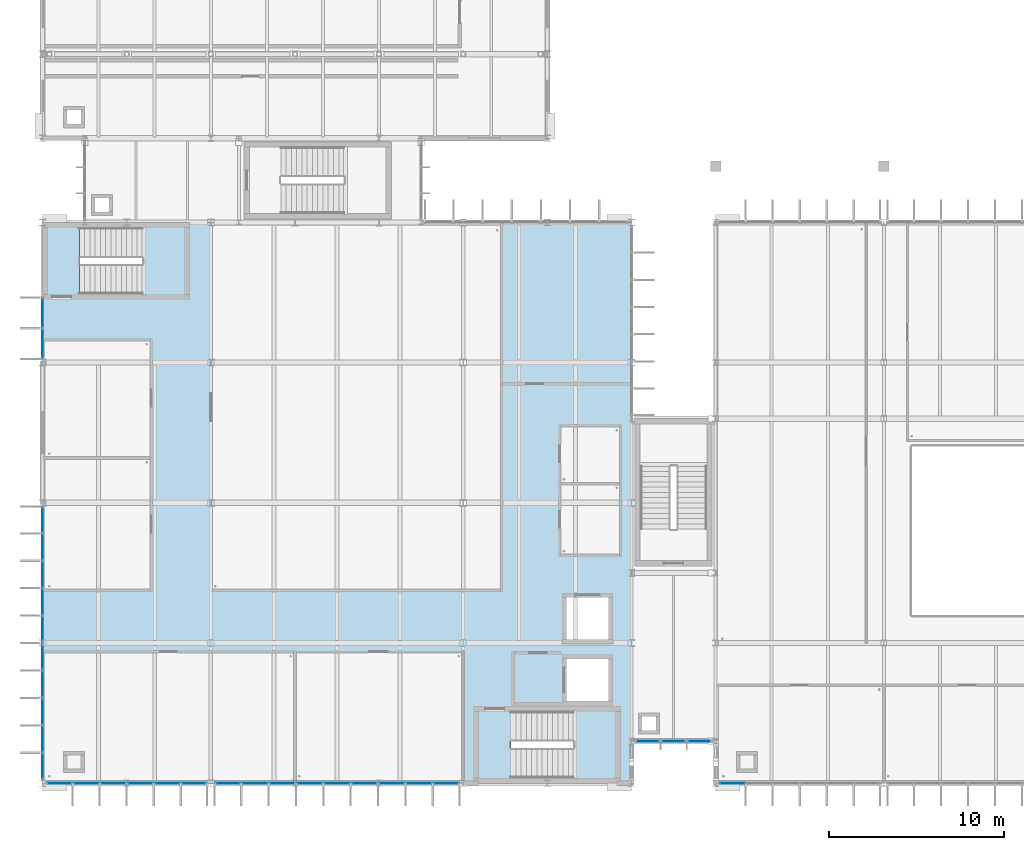
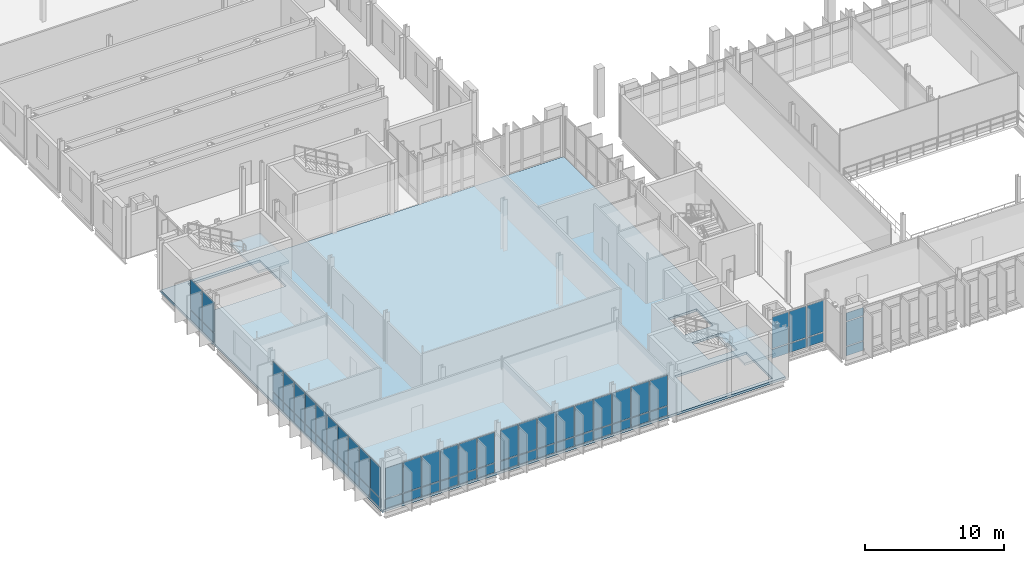
# One storey, part 49 of 110: 63 plates, 3 slabs, 8 elements without a shape of their own.
"""IFC4 building model written with IfcOpenShell, lengths in metres."""

import ifcopenshell
import ifcopenshell.guid

model = None  # the IFC model being written
_history = None  # IfcOwnerHistory: only IFC2X3 demands one
_inside = {}  # id of a spatial element -> (the spatial element, [elements in it])
_under = {}  # id of a project, library or spatial element -> (it, [spatial elements below it])
_declared = {}  # id of a project -> (the project, [libraries it declares])
_typed = {}  # id of a type object -> (the type object, [elements of that type])
_made_of = {}  # id of a material, layer set ... -> (it, [elements and type objects made of it])


def new_model(schema):
    """Start an empty IFC model of exactly this schema.

    Asked for "IFC4X3", IfcOpenShell would pick the latest addendum, in which some entities
    have other attributes; the version numbers below select the first issue.
    IFC2X3 requires an IfcOwnerHistory on every rooted entity: one is made here for all.
    """
    global model, _history
    if schema == "IFC4X3":
        model = ifcopenshell.file(schema_version=(4, 3, 0, 0))
    else:
        model = ifcopenshell.file(schema=schema)
    _inside.clear()
    _under.clear()
    _declared.clear()
    _typed.clear()
    _made_of.clear()
    _history = None
    if model.schema == "IFC2X3":
        org = make("IfcOrganization", Name="unknown")
        user = make(
            "IfcPersonAndOrganization",
            ThePerson=make("IfcPerson", FamilyName="unknown"),
            TheOrganization=org,
        )
        app = make(
            "IfcApplication",
            ApplicationDeveloper=org,
            Version="unknown",
            ApplicationFullName="unknown",
            ApplicationIdentifier="unknown",
        )
        _history = make(
            "IfcOwnerHistory",
            OwningUser=user,
            OwningApplication=app,
            ChangeAction="ADDED",
            CreationDate=0,
        )
    return model


def make(cls, **values):
    """One entity of the class cls with the attributes given. An attribute that is None is left unset."""
    return model.create_entity(
        cls, **{name: value for name, value in values.items() if value is not None}
    )


def rooted(cls, **values):
    """An entity with a GlobalId (a new one), such as an element, a storey or a relation."""
    return make(cls, GlobalId=ifcopenshell.guid.new(), OwnerHistory=_history, **values)


def si_unit(unit_type, name, prefix=None):
    """IfcSIUnit, for example si_unit("LENGTHUNIT", "METRE", prefix="MILLI")."""
    return make("IfcSIUnit", UnitType=unit_type, Prefix=prefix, Name=name)


def assignment(units):
    """IfcUnitAssignment: the units of a project."""
    return None if units is None else make("IfcUnitAssignment", Units=units)


def point(xyz):
    """IfcCartesianPoint."""
    return None if xyz is None else make("IfcCartesianPoint", Coordinates=xyz)


def direction(xyz):
    """IfcDirection."""
    return None if xyz is None else make("IfcDirection", DirectionRatios=xyz)


def frame(location, z_axis=None, x_axis=None):
    """IfcAxis2Placement3D, a coordinate frame: its origin and axes. An axis left out is left unset."""
    return make(
        "IfcAxis2Placement3D",
        Location=point(location),
        Axis=direction(z_axis),
        RefDirection=direction(x_axis),
    )


def frame_2d(location, x_axis=None):
    """IfcAxis2Placement2D, a coordinate frame in the plane: its origin and x axis."""
    return make(
        "IfcAxis2Placement2D", Location=point(location), RefDirection=direction(x_axis)
    )


def origin():
    """The frame at (0, 0, 0) with its axes left unset."""
    return frame((0.0, 0.0, 0.0))


def origin_2d():
    """The frame at (0, 0) in the plane with its x axis left unset."""
    return frame_2d((0.0, 0.0))


def place(relative_to, where):
    """IfcLocalPlacement: puts the frame where relative to a parent placement (None: the world)."""
    return make(
        "IfcLocalPlacement", PlacementRelTo=relative_to, RelativePlacement=where
    )


def context(
    kind, dimensions, precision=None, world=None, true_north=None, identifier=None
):
    """IfcGeometricRepresentationContext, for example the 3D "Model" context."""
    return make(
        "IfcGeometricRepresentationContext",
        ContextIdentifier=identifier,
        ContextType=kind,
        CoordinateSpaceDimension=dimensions,
        Precision=precision,
        WorldCoordinateSystem=world,
        TrueNorth=true_north,
    )


def subcontext(parent, identifier, kind, view, scale=None):
    """IfcGeometricRepresentationSubContext, for example "Body" below "Model"."""
    return make(
        "IfcGeometricRepresentationSubContext",
        ContextIdentifier=identifier,
        ContextType=kind,
        ParentContext=parent,
        TargetScale=scale,
        TargetView=view,
    )


def project(units=None, contexts=None):
    """IfcProject with its units and contexts."""
    return rooted(
        "IfcProject",
        Name="project",
        RepresentationContexts=contexts,
        UnitsInContext=assignment(units),
    )


def spatial(cls, under=None, at=None, **own):
    """A site, building, storey or space (cls), placed at a placement, below another one or the project."""
    s = rooted(cls, ObjectPlacement=at, **own)
    if under is not None:
        _under.setdefault(under.id(), (under, []))[1].append(s)
    return s


def polyline(points):
    """IfcPolyline through the points."""
    return make("IfcPolyline", Points=[point(p) for p in points])


def profile(cls, at=None, kind="AREA", **sizes):
    """A parametric profile (cls). Its sizes go by their IFC names, for example OverallWidth=200.0."""
    return make(cls, ProfileType=kind, Position=at, **sizes)


def rectangle(**sizes):
    """IfcRectangleProfileDef."""
    return profile("IfcRectangleProfileDef", **sizes)


def outline(outer, holes=None, kind="AREA"):
    """IfcArbitraryClosedProfileDef: a profile drawn as a closed curve; with holes, ...WithVoids."""
    if holes is None:
        return make("IfcArbitraryClosedProfileDef", ProfileType=kind, OuterCurve=outer)
    return make(
        "IfcArbitraryProfileDefWithVoids",
        ProfileType=kind,
        OuterCurve=outer,
        InnerCurves=holes,
    )


def extrude(swept, where, along, depth):
    """IfcExtrudedAreaSolid: the profile swept, set in the frame where, extruded along a direction by depth."""
    return make(
        "IfcExtrudedAreaSolid",
        SweptArea=swept,
        Position=where,
        ExtrudedDirection=direction(along),
        Depth=depth,
    )


def shape(context_of_items, identifier, shape_type, items):
    """IfcShapeRepresentation: the items that make up one representation, for example the "Body"."""
    return make(
        "IfcShapeRepresentation",
        ContextOfItems=context_of_items,
        RepresentationIdentifier=identifier,
        RepresentationType=shape_type,
        Items=items,
    )


def material(Name=None, Category=None):
    """IfcMaterial."""
    return make("IfcMaterial", Name=Name, Category=Category)


def layer(
    of_material, thickness, ventilated=None, Name=None, Category=None, Priority=None
):
    """IfcMaterialLayer: one layer of a wall or slab, of a material (None: an air gap)."""
    return make(
        "IfcMaterialLayer",
        Material=of_material,
        LayerThickness=thickness,
        IsVentilated=ventilated,
        Name=Name,
        Category=Category,
        Priority=Priority,
    )


def layer_set(layers, Name=None):
    """IfcMaterialLayerSet."""
    return make("IfcMaterialLayerSet", MaterialLayers=layers, LayerSetName=Name)


def made_of(thing, what):
    """Note that an element or type object is made of a material, layer set ...; save() writes the relation."""
    if what is not None:
        _made_of.setdefault(what.id(), (what, []))[1].append(thing)
    return thing


def type_object(cls, material=None, **own):
    """A type object (cls), such as IfcWallType, which elements share."""
    return made_of(rooted(cls, **own), material)


def element(
    cls,
    number,
    at=None,
    inside=None,
    cuts=None,
    type_object=None,
    material=None,
    context=None,
    identifier="Body",
    shape_type=None,
    held_by="IfcProductDefinitionShape",
    body=None,
    shapes=None,
    **own,
):
    """One element of the class cls, such as IfcWall. Its Tag is "e" and its number.

    at: its placement. inside: the storey or other place that contains it. cuts: it is an
    opening in that element (IfcRelVoidsElement). A single representation is given by context,
    identifier, shape_type and body (its items); several are given by shapes. held_by: the class
    of the entity that holds the representations. save() writes the other relations.
    """
    e = rooted(cls, Tag="e%d" % number, ObjectPlacement=at, **own)
    if body is not None:
        shapes = [shape(context, identifier, shape_type, body)]
    if shapes is not None:
        e.Representation = make(held_by, Representations=shapes)
    if inside is not None:
        _inside.setdefault(inside.id(), (inside, []))[1].append(e)
    if cuts is not None:
        rooted(
            "IfcRelVoidsElement", RelatingBuildingElement=cuts, RelatedOpeningElement=e
        )
    if type_object is not None:
        _typed.setdefault(type_object.id(), (type_object, []))[1].append(e)
    return made_of(e, material)


def aggregate(whole, parts):
    """IfcRelAggregates: a whole, such as a stair, and the parts it consists of."""
    return rooted("IfcRelAggregates", RelatingObject=whole, RelatedObjects=parts)


def save(model, path):
    """Write the relations noted so far, then the file.

    IfcRelAggregates (storeys below a building ...), IfcRelContainedInSpatialStructure (elements
    in a storey), IfcRelDefinesByType, IfcRelAssociatesMaterial and IfcRelDeclares: one each for
    every whole, place, type object, material and project.
    """
    for whole, parts in _under.values():
        aggregate(whole, parts)
    for where, things in _inside.values():
        rooted(
            "IfcRelContainedInSpatialStructure",
            RelatedElements=things,
            RelatingStructure=where,
        )
    for kind, things in _typed.values():
        rooted("IfcRelDefinesByType", RelatedObjects=things, RelatingType=kind)
    for what, things in _made_of.values():
        rooted("IfcRelAssociatesMaterial", RelatedObjects=things, RelatingMaterial=what)
    for by, libraries in _declared.values():
        rooted("IfcRelDeclares", RelatingContext=by, RelatedDefinitions=libraries)
    model.write(path)


model = new_model("IFC4")

# Units and contexts
model_context = context("Model", 3, precision=1e-05, world=origin(), true_north=direction((0.0, 1.0)))
body_context = subcontext(model_context, "Body", "Model", "MODEL_VIEW")
ifc_project = project(units=[si_unit("LENGTHUNIT", "METRE"), si_unit("AREAUNIT", "SQUARE_METRE"), si_unit("VOLUMEUNIT", "CUBIC_METRE"), si_unit("PLANEANGLEUNIT", "RADIAN"), si_unit("MASSUNIT", "GRAM", prefix="KILO")], contexts=[model_context])

# Site, building, storey
site_placement = place(None, origin())
site = spatial("IfcSite", under=ifc_project, at=site_placement, CompositionType="ELEMENT")
building_placement = place(site_placement, origin())
building = spatial("IfcBuilding", under=site, at=building_placement, Name="Dunescarp Central Library", CompositionType="ELEMENT")
storey_placement = place(building_placement, frame((0.0, 0.0, 9.60009765625)))
storey = spatial("IfcBuildingStorey", under=building, at=storey_placement, Name="L02", CompositionType="ELEMENT", Elevation=9.60009765625)

# Curtain wall, plates
ifc_material_1 = material(Name="Marine-grade anodised aluminium 6063-T6", Category="aluminium")
curtain_wall_type_1 = type_object("IfcCurtainWallType", Name="ARC-CW-STICK", PredefinedType="NOTDEFINED", material=ifc_material_1)
curtain_wall_1_placement = place(storey_placement, origin())
curtain_wall_1 = element("IfcCurtainWall", 1, at=curtain_wall_1_placement, inside=storey, type_object=curtain_wall_type_1, Name="L02 curtain wall CW-V1-012", PredefinedType="NOTDEFINED")
ifc_material_2 = material(Name="Solar-control laminated double glazing", Category="glass")
ifc_layer_1 = layer(ifc_material_2, 0.028076171875)
ifc_layer_set_1 = layer_set([ifc_layer_1], Name="Solar-control laminated double glazing")
plate_type_1 = type_object("IfcPlateType", Name="ARC-PLT-GLZ28", PredefinedType="CURTAIN_PANEL", material=ifc_layer_set_1)
plate_1_placement = place(storey_placement, frame((8.63427734375, 4.800048828125, 0.93994140625), z_axis=(0.0, 0.0, 1.0), x_axis=(-1.0, 0.0, 0.0)))
plate_1 = element("IfcPlate", 2, at=plate_1_placement, type_object=plate_type_1, Name="CW-V1-012 panel 1.2", PredefinedType="CURTAIN_PANEL", context=body_context, shape_type="SweptSolid", body=[
    extrude(rectangle(XDim=1.421630859375, YDim=0.028076171875, at=origin_2d()), origin(), (0.0, 0.0, 1.0), 2.6650390625),
])
plate_2_placement = place(storey_placement, frame((7.112548828125, 4.800048828125, 0.93994140625), z_axis=(0.0, 0.0, 1.0), x_axis=(-1.0, 0.0, 0.0)))
plate_2 = element("IfcPlate", 3, at=plate_2_placement, type_object=plate_type_1, Name="CW-V1-012 panel 2.2", PredefinedType="CURTAIN_PANEL", context=body_context, shape_type="SweptSolid", body=[
    extrude(rectangle(XDim=1.461669921875, YDim=0.028076171875, at=origin_2d()), origin(), (0.0, 0.0, 1.0), 2.6650390625),
])
plate_3_placement = place(storey_placement, frame((5.57080078125, 4.800048828125, 0.93994140625), z_axis=(0.0, 0.0, 1.0), x_axis=(-1.0, 0.0, 0.0)))
plate_3 = element("IfcPlate", 4, at=plate_3_placement, type_object=plate_type_1, Name="CW-V1-012 panel 3.2", PredefinedType="CURTAIN_PANEL", context=body_context, shape_type="SweptSolid", body=[
    extrude(rectangle(XDim=1.461669921875, YDim=0.028076171875, at=origin_2d()), origin(), (0.0, 0.0, 1.0), 2.6650390625),
])
plate_4_placement = place(storey_placement, frame((4.029052734375, 4.800048828125, 0.93994140625), z_axis=(0.0, 0.0, 1.0), x_axis=(-1.0, 0.0, 0.0)))
plate_4 = element("IfcPlate", 5, at=plate_4_placement, type_object=plate_type_1, Name="CW-V1-012 panel 4.2", PredefinedType="CURTAIN_PANEL", context=body_context, shape_type="SweptSolid", body=[
    extrude(rectangle(XDim=1.461669921875, YDim=0.028076171875, at=origin_2d()), origin(), (0.0, 0.0, 1.0), 2.6650390625),
])
plate_5_placement = place(storey_placement, frame((2.487548828125, 4.800048828125, 0.93994140625), z_axis=(0.0, 0.0, 1.0), x_axis=(-1.0, 0.0, 0.0)))
plate_5 = element("IfcPlate", 6, at=plate_5_placement, type_object=plate_type_1, Name="CW-V1-012 panel 5.2", PredefinedType="CURTAIN_PANEL", context=body_context, shape_type="SweptSolid", body=[
    extrude(rectangle(XDim=1.461669921875, YDim=0.028076171875, at=origin_2d()), origin(), (0.0, 0.0, 1.0), 2.6650390625),
])
plate_6_placement = place(storey_placement, frame((0.9658203125, 4.800048828125, 0.93994140625), z_axis=(0.0, 0.0, 1.0), x_axis=(-1.0, 0.0, 0.0)))
plate_6 = element("IfcPlate", 7, at=plate_6_placement, type_object=plate_type_1, Name="CW-V1-012 panel 6.2", PredefinedType="CURTAIN_PANEL", context=body_context, shape_type="SweptSolid", body=[
    extrude(rectangle(XDim=1.421630859375, YDim=0.028076171875, at=origin_2d()), origin(), (0.0, 0.0, 1.0), 2.6650390625),
])

curtain_wall_2_placement = place(storey_placement, origin())
curtain_wall_2 = element("IfcCurtainWall", 8, at=curtain_wall_2_placement, inside=storey, type_object=curtain_wall_type_1, Name="L02 curtain wall CW-V1-013", PredefinedType="NOTDEFINED")
plate_7_placement = place(storey_placement, frame((23.0244140625, 4.800048828125, 0.93994140625), z_axis=(0.0, 0.0, 1.0), x_axis=(-1.0, 0.0, 0.0)))
plate_7 = element("IfcPlate", 9, at=plate_7_placement, type_object=plate_type_1, Name="CW-V1-013 panel 1.2", PredefinedType="CURTAIN_PANEL", context=body_context, shape_type="SweptSolid", body=[
    extrude(rectangle(XDim=1.441162109375, YDim=0.028076171875, at=origin_2d()), origin(), (0.0, 0.0, 1.0), 2.6650390625),
])
plate_8_placement = place(storey_placement, frame((21.4833984375, 4.800048828125, 0.93994140625), z_axis=(0.0, 0.0, 1.0), x_axis=(-1.0, 0.0, 0.0)))
plate_8 = element("IfcPlate", 10, at=plate_8_placement, type_object=plate_type_1, Name="CW-V1-013 panel 2.2", PredefinedType="CURTAIN_PANEL", context=body_context, shape_type="SweptSolid", body=[
    extrude(rectangle(XDim=1.481201171875, YDim=0.028076171875, at=origin_2d()), origin(), (0.0, 0.0, 1.0), 2.6650390625),
])
plate_9_placement = place(storey_placement, frame((19.922119140625, 4.800048828125, 0.93994140625), z_axis=(0.0, 0.0, 1.0), x_axis=(-1.0, 0.0, 0.0)))
plate_9 = element("IfcPlate", 11, at=plate_9_placement, type_object=plate_type_1, Name="CW-V1-013 panel 3.2", PredefinedType="CURTAIN_PANEL", context=body_context, shape_type="SweptSolid", body=[
    extrude(rectangle(XDim=1.481201171875, YDim=0.028076171875, at=origin_2d()), origin(), (0.0, 0.0, 1.0), 2.6650390625),
])
plate_10_placement = place(storey_placement, frame((18.361083984375, 4.800048828125, 0.93994140625), z_axis=(0.0, 0.0, 1.0), x_axis=(-1.0, 0.0, 0.0)))
plate_10 = element("IfcPlate", 12, at=plate_10_placement, type_object=plate_type_1, Name="CW-V1-013 panel 4.2", PredefinedType="CURTAIN_PANEL", context=body_context, shape_type="SweptSolid", body=[
    extrude(rectangle(XDim=1.481201171875, YDim=0.028076171875, at=origin_2d()), origin(), (0.0, 0.0, 1.0), 2.6650390625),
])
plate_11_placement = place(storey_placement, frame((16.800048828125, 4.800048828125, 0.93994140625), z_axis=(0.0, 0.0, 1.0), x_axis=(-1.0, 0.0, 0.0)))
plate_11 = element("IfcPlate", 13, at=plate_11_placement, type_object=plate_type_1, Name="CW-V1-013 panel 5.2", PredefinedType="CURTAIN_PANEL", context=body_context, shape_type="SweptSolid", body=[
    extrude(rectangle(XDim=1.481201171875, YDim=0.028076171875, at=origin_2d()), origin(), (0.0, 0.0, 1.0), 2.6650390625),
])
plate_12_placement = place(storey_placement, frame((15.23876953125, 4.800048828125, 0.93994140625), z_axis=(0.0, 0.0, 1.0), x_axis=(-1.0, 0.0, 0.0)))
plate_12 = element("IfcPlate", 14, at=plate_12_placement, type_object=plate_type_1, Name="CW-V1-013 panel 6.2", PredefinedType="CURTAIN_PANEL", context=body_context, shape_type="SweptSolid", body=[
    extrude(rectangle(XDim=1.481201171875, YDim=0.028076171875, at=origin_2d()), origin(), (0.0, 0.0, 1.0), 2.6650390625),
])
plate_13_placement = place(storey_placement, frame((13.677734375, 4.800048828125, 0.93994140625), z_axis=(0.0, 0.0, 1.0), x_axis=(-1.0, 0.0, 0.0)))
plate_13 = element("IfcPlate", 15, at=plate_13_placement, type_object=plate_type_1, Name="CW-V1-013 panel 7.2", PredefinedType="CURTAIN_PANEL", context=body_context, shape_type="SweptSolid", body=[
    extrude(rectangle(XDim=1.481201171875, YDim=0.028076171875, at=origin_2d()), origin(), (0.0, 0.0, 1.0), 2.6650390625),
])
plate_14_placement = place(storey_placement, frame((12.11669921875, 4.800048828125, 0.93994140625), z_axis=(0.0, 0.0, 1.0), x_axis=(-1.0, 0.0, 0.0)))
plate_14 = element("IfcPlate", 16, at=plate_14_placement, type_object=plate_type_1, Name="CW-V1-013 panel 8.2", PredefinedType="CURTAIN_PANEL", context=body_context, shape_type="SweptSolid", body=[
    extrude(rectangle(XDim=1.481201171875, YDim=0.028076171875, at=origin_2d()), origin(), (0.0, 0.0, 1.0), 2.6650390625),
])
plate_15_placement = place(storey_placement, frame((10.575439453125, 4.800048828125, 0.93994140625), z_axis=(0.0, 0.0, 1.0), x_axis=(-1.0, 0.0, 0.0)))
plate_15 = element("IfcPlate", 17, at=plate_15_placement, type_object=plate_type_1, Name="CW-V1-013 panel 9.2", PredefinedType="CURTAIN_PANEL", context=body_context, shape_type="SweptSolid", body=[
    extrude(rectangle(XDim=1.441162109375, YDim=0.028076171875, at=origin_2d()), origin(), (0.0, 0.0, 1.0), 2.6650390625),
])

curtain_wall_3_placement = place(storey_placement, origin())
curtain_wall_3 = element("IfcCurtainWall", 18, at=curtain_wall_3_placement, inside=storey, type_object=curtain_wall_type_1, Name="L02 curtain wall CW-V1-015", PredefinedType="NOTDEFINED")
plate_16_placement = place(storey_placement, frame((0.0, 5.777587890625, 0.93994140625), z_axis=(0.0, 0.0, 1.0), x_axis=(0.0, 1.0, 0.0)))
plate_16 = element("IfcPlate", 19, at=plate_16_placement, type_object=plate_type_1, Name="CW-V1-015 panel 1.2", PredefinedType="CURTAIN_PANEL", context=body_context, shape_type="SweptSolid", body=[
    extrude(rectangle(XDim=1.445068359375, YDim=0.028076171875, at=origin_2d()), origin(), (0.0, 0.0, 1.0), 2.6650390625),
])
plate_17_placement = place(storey_placement, frame((0.0, 7.322509765625, 0.93994140625), z_axis=(0.0, 0.0, 1.0), x_axis=(0.0, 1.0, 0.0)))
plate_17 = element("IfcPlate", 20, at=plate_17_placement, type_object=plate_type_1, Name="CW-V1-015 panel 2.2", PredefinedType="CURTAIN_PANEL", context=body_context, shape_type="SweptSolid", body=[
    extrude(rectangle(XDim=1.485107421875, YDim=0.028076171875, at=origin_2d()), origin(), (0.0, 0.0, 1.0), 2.6650390625),
])
plate_18_placement = place(storey_placement, frame((0.0, 8.887451171875, 0.93994140625), z_axis=(0.0, 0.0, 1.0), x_axis=(0.0, 1.0, 0.0)))
plate_18 = element("IfcPlate", 21, at=plate_18_placement, type_object=plate_type_1, Name="CW-V1-015 panel 3.2", PredefinedType="CURTAIN_PANEL", context=body_context, shape_type="SweptSolid", body=[
    extrude(rectangle(XDim=1.485107421875, YDim=0.028076171875, at=origin_2d()), origin(), (0.0, 0.0, 1.0), 2.6650390625),
])
plate_19_placement = place(storey_placement, frame((0.0, 10.452392578125, 0.93994140625), z_axis=(0.0, 0.0, 1.0), x_axis=(0.0, 1.0, 0.0)))
plate_19 = element("IfcPlate", 22, at=plate_19_placement, type_object=plate_type_1, Name="CW-V1-015 panel 4.2", PredefinedType="CURTAIN_PANEL", context=body_context, shape_type="SweptSolid", body=[
    extrude(rectangle(XDim=1.485107421875, YDim=0.028076171875, at=origin_2d()), origin(), (0.0, 0.0, 1.0), 2.6650390625),
])
plate_20_placement = place(storey_placement, frame((0.0, 12.017578125, 0.93994140625), z_axis=(0.0, 0.0, 1.0), x_axis=(0.0, 1.0, 0.0)))
plate_20 = element("IfcPlate", 23, at=plate_20_placement, type_object=plate_type_1, Name="CW-V1-015 panel 5.2", PredefinedType="CURTAIN_PANEL", context=body_context, shape_type="SweptSolid", body=[
    extrude(rectangle(XDim=1.485107421875, YDim=0.028076171875, at=origin_2d()), origin(), (0.0, 0.0, 1.0), 2.6650390625),
])
plate_21_placement = place(storey_placement, frame((0.0, 13.58251953125, 0.93994140625), z_axis=(0.0, 0.0, 1.0), x_axis=(0.0, 1.0, 0.0)))
plate_21 = element("IfcPlate", 24, at=plate_21_placement, type_object=plate_type_1, Name="CW-V1-015 panel 6.2", PredefinedType="CURTAIN_PANEL", context=body_context, shape_type="SweptSolid", body=[
    extrude(rectangle(XDim=1.485107421875, YDim=0.028076171875, at=origin_2d()), origin(), (0.0, 0.0, 1.0), 2.6650390625),
])
plate_22_placement = place(storey_placement, frame((0.0, 15.1474609375, 0.93994140625), z_axis=(0.0, 0.0, 1.0), x_axis=(0.0, 1.0, 0.0)))
plate_22 = element("IfcPlate", 25, at=plate_22_placement, type_object=plate_type_1, Name="CW-V1-015 panel 7.2", PredefinedType="CURTAIN_PANEL", context=body_context, shape_type="SweptSolid", body=[
    extrude(rectangle(XDim=1.485107421875, YDim=0.028076171875, at=origin_2d()), origin(), (0.0, 0.0, 1.0), 2.6650390625),
])
plate_23_placement = place(storey_placement, frame((0.0, 16.71240234375, 0.93994140625), z_axis=(0.0, 0.0, 1.0), x_axis=(0.0, 1.0, 0.0)))
plate_23 = element("IfcPlate", 26, at=plate_23_placement, type_object=plate_type_1, Name="CW-V1-015 panel 8.2", PredefinedType="CURTAIN_PANEL", context=body_context, shape_type="SweptSolid", body=[
    extrude(rectangle(XDim=1.485107421875, YDim=0.028076171875, at=origin_2d()), origin(), (0.0, 0.0, 1.0), 2.6650390625),
])
plate_24_placement = place(storey_placement, frame((0.0, 18.277587890625, 0.93994140625), z_axis=(0.0, 0.0, 1.0), x_axis=(0.0, 1.0, 0.0)))
plate_24 = element("IfcPlate", 27, at=plate_24_placement, type_object=plate_type_1, Name="CW-V1-015 panel 9.2", PredefinedType="CURTAIN_PANEL", context=body_context, shape_type="SweptSolid", body=[
    extrude(rectangle(XDim=1.485107421875, YDim=0.028076171875, at=origin_2d()), origin(), (0.0, 0.0, 1.0), 2.6650390625),
])
plate_25_placement = place(storey_placement, frame((0.0, 19.822509765625, 0.93994140625), z_axis=(0.0, 0.0, 1.0), x_axis=(0.0, 1.0, 0.0)))
plate_25 = element("IfcPlate", 28, at=plate_25_placement, type_object=plate_type_1, Name="CW-V1-015 panel 10.2", PredefinedType="CURTAIN_PANEL", context=body_context, shape_type="SweptSolid", body=[
    extrude(rectangle(XDim=1.445068359375, YDim=0.028076171875, at=origin_2d()), origin(), (0.0, 0.0, 1.0), 2.6650390625),
])

curtain_wall_4_placement = place(storey_placement, origin())
curtain_wall_4 = element("IfcCurtainWall", 29, at=curtain_wall_4_placement, inside=storey, type_object=curtain_wall_type_1, Name="L02 curtain wall CW-V1-016", PredefinedType="NOTDEFINED")
plate_26_placement = place(storey_placement, frame((0.0, 29.888671875, 0.93994140625), z_axis=(0.0, 0.0, 1.0), x_axis=(0.0, 1.0, 0.0)))
plate_26 = element("IfcPlate", 30, at=plate_26_placement, type_object=plate_type_1, Name="CW-V1-016 panel 1.2", PredefinedType="CURTAIN_PANEL", context=body_context, shape_type="SweptSolid", body=[
    extrude(rectangle(XDim=1.66748046875, YDim=0.028076171875, at=origin_2d()), origin(), (0.0, 0.0, 1.0), 2.6650390625),
])
plate_27_placement = place(storey_placement, frame((0.0, 31.63623046875, 0.93994140625), z_axis=(0.0, 0.0, 1.0), x_axis=(0.0, 1.0, 0.0)))
plate_27 = element("IfcPlate", 31, at=plate_27_placement, type_object=plate_type_1, Name="CW-V1-016 panel 2.2", PredefinedType="CURTAIN_PANEL", context=body_context, shape_type="SweptSolid", body=[
    extrude(rectangle(XDim=1.66748046875, YDim=0.028076171875, at=origin_2d()), origin(), (0.0, 0.0, 1.0), 2.6650390625),
])

curtain_wall_5_placement = place(storey_placement, origin())
curtain_wall_5 = element("IfcCurtainWall", 32, at=curtain_wall_5_placement, inside=storey, type_object=curtain_wall_type_1, Name="L02 curtain wall CW-V2-054", PredefinedType="NOTDEFINED")
plate_28_placement = place(storey_placement, frame((39.36572265625, 4.800048828125, 0.93994140625), z_axis=(0.0, 0.0, 1.0), x_axis=(-1.0, 0.0, 0.0)))
plate_28 = element("IfcPlate", 33, at=plate_28_placement, type_object=plate_type_1, Name="CW-V2-054 panel 6.2", PredefinedType="CURTAIN_PANEL", context=body_context, shape_type="SweptSolid", body=[
    extrude(rectangle(XDim=1.421630859375, YDim=0.028076171875, at=origin_2d()), origin(), (0.0, 0.0, 1.0), 2.1201171875),
])
plate_29_placement = place(storey_placement, frame((39.36572265625, 4.800048828125, 3.139892578125), z_axis=(0.0, 0.0, 1.0), x_axis=(-1.0, 0.0, 0.0)))
plate_29 = element("IfcPlate", 34, at=plate_29_placement, type_object=plate_type_1, Name="CW-V2-054 panel 6.3", PredefinedType="CURTAIN_PANEL", context=body_context, shape_type="SweptSolid", body=[
    extrude(rectangle(XDim=1.421630859375, YDim=0.028076171875, at=origin_2d()), origin(), (0.0, 0.0, 1.0), 0.705078125),
])

curtain_wall_type_2 = type_object("IfcCurtainWallType", Name="ARC-CW-LINK", PredefinedType="USERDEFINED", material=ifc_material_1)
curtain_wall_6_placement = place(storey_placement, origin())
curtain_wall_6 = element("IfcCurtainWall", 35, at=curtain_wall_6_placement, inside=storey, type_object=curtain_wall_type_2, Name="L02 curtain wall CW-GL1-S-L02", ObjectType="GLAZED_LINK_WALL", PredefinedType="USERDEFINED")
plate_30_placement = place(storey_placement, frame((37.46337890625, 7.199951171875, 0.93994140625), z_axis=(0.0, 0.0, 1.0), x_axis=(-1.0, 0.0, 0.0)))
plate_30 = element("IfcPlate", 36, at=plate_30_placement, type_object=plate_type_1, Name="CW-GL1-S-L02 panel 1.2", PredefinedType="CURTAIN_PANEL", context=body_context, shape_type="SweptSolid", body=[
    extrude(rectangle(XDim=1.36328125, YDim=0.028076171875, at=origin_2d()), origin(), (0.0, 0.0, 1.0), 2.764892578125),
])
plate_31_placement = place(storey_placement, frame((36.0, 7.199951171875, 0.93994140625), z_axis=(0.0, 0.0, 1.0), x_axis=(-1.0, 0.0, 0.0)))
plate_31 = element("IfcPlate", 37, at=plate_31_placement, type_object=plate_type_1, Name="CW-GL1-S-L02 panel 2.2", PredefinedType="CURTAIN_PANEL", context=body_context, shape_type="SweptSolid", body=[
    extrude(rectangle(XDim=1.4033203125, YDim=0.028076171875, at=origin_2d()), origin(), (0.0, 0.0, 1.0), 2.764892578125),
])
plate_32_placement = place(storey_placement, frame((34.53662109375, 7.199951171875, 0.93994140625), z_axis=(0.0, 0.0, 1.0), x_axis=(-1.0, 0.0, 0.0)))
plate_32 = element("IfcPlate", 38, at=plate_32_placement, type_object=plate_type_1, Name="CW-GL1-S-L02 panel 3.2", PredefinedType="CURTAIN_PANEL", context=body_context, shape_type="SweptSolid", body=[
    extrude(rectangle(XDim=1.36328125, YDim=0.028076171875, at=origin_2d()), origin(), (0.0, 0.0, 1.0), 2.764892578125),
])

# Plate
ifc_layer_2 = layer(ifc_material_1, 0.050048828125)
ifc_layer_set_2 = layer_set([ifc_layer_2], Name="Marine-grade anodised aluminium 6063-T6")
plate_type_2 = type_object("IfcPlateType", Name="ARC-PLT-SPN50", PredefinedType="SHEET", material=ifc_layer_set_2)
plate_33_placement = place(storey_placement, frame((8.63427734375, 4.800048828125, 0.080078125), z_axis=(0.0, 0.0, 1.0), x_axis=(-1.0, 0.0, 0.0)))
plate_33 = element("IfcPlate", 39, at=plate_33_placement, type_object=plate_type_2, Name="CW-V1-012 panel 1.1", PredefinedType="SHEET", context=body_context, shape_type="SweptSolid", body=[
    extrude(rectangle(XDim=1.421630859375, YDim=0.050048828125, at=origin_2d()), origin(), (0.0, 0.0, 1.0), 0.780029296875),
])

plate_34_placement = place(storey_placement, frame((7.112548828125, 4.800048828125, 0.080078125), z_axis=(0.0, 0.0, 1.0), x_axis=(-1.0, 0.0, 0.0)))
plate_34 = element("IfcPlate", 40, at=plate_34_placement, type_object=plate_type_2, Name="CW-V1-012 panel 2.1", PredefinedType="SHEET", context=body_context, shape_type="SweptSolid", body=[
    extrude(rectangle(XDim=1.461669921875, YDim=0.050048828125, at=origin_2d()), origin(), (0.0, 0.0, 1.0), 0.780029296875),
])

plate_35_placement = place(storey_placement, frame((5.57080078125, 4.800048828125, 0.080078125), z_axis=(0.0, 0.0, 1.0), x_axis=(-1.0, 0.0, 0.0)))
plate_35 = element("IfcPlate", 41, at=plate_35_placement, type_object=plate_type_2, Name="CW-V1-012 panel 3.1", PredefinedType="SHEET", context=body_context, shape_type="SweptSolid", body=[
    extrude(rectangle(XDim=1.461669921875, YDim=0.050048828125, at=origin_2d()), origin(), (0.0, 0.0, 1.0), 0.780029296875),
])

plate_36_placement = place(storey_placement, frame((4.029052734375, 4.800048828125, 0.080078125), z_axis=(0.0, 0.0, 1.0), x_axis=(-1.0, 0.0, 0.0)))
plate_36 = element("IfcPlate", 42, at=plate_36_placement, type_object=plate_type_2, Name="CW-V1-012 panel 4.1", PredefinedType="SHEET", context=body_context, shape_type="SweptSolid", body=[
    extrude(rectangle(XDim=1.461669921875, YDim=0.050048828125, at=origin_2d()), origin(), (0.0, 0.0, 1.0), 0.780029296875),
])

plate_37_placement = place(storey_placement, frame((2.487548828125, 4.800048828125, 0.080078125), z_axis=(0.0, 0.0, 1.0), x_axis=(-1.0, 0.0, 0.0)))
plate_37 = element("IfcPlate", 43, at=plate_37_placement, type_object=plate_type_2, Name="CW-V1-012 panel 5.1", PredefinedType="SHEET", context=body_context, shape_type="SweptSolid", body=[
    extrude(rectangle(XDim=1.461669921875, YDim=0.050048828125, at=origin_2d()), origin(), (0.0, 0.0, 1.0), 0.780029296875),
])

plate_38_placement = place(storey_placement, frame((0.9658203125, 4.800048828125, 0.080078125), z_axis=(0.0, 0.0, 1.0), x_axis=(-1.0, 0.0, 0.0)))
plate_38 = element("IfcPlate", 44, at=plate_38_placement, type_object=plate_type_2, Name="CW-V1-012 panel 6.1", PredefinedType="SHEET", context=body_context, shape_type="SweptSolid", body=[
    extrude(rectangle(XDim=1.421630859375, YDim=0.050048828125, at=origin_2d()), origin(), (0.0, 0.0, 1.0), 0.780029296875),
])

aggregate(curtain_wall_1, [plate_33, plate_1, plate_34, plate_2, plate_35, plate_3, plate_36, plate_4, plate_37, plate_5, plate_38, plate_6])

plate_39_placement = place(storey_placement, frame((23.0244140625, 4.800048828125, 0.080078125), z_axis=(0.0, 0.0, 1.0), x_axis=(-1.0, 0.0, 0.0)))
plate_39 = element("IfcPlate", 45, at=plate_39_placement, type_object=plate_type_2, Name="CW-V1-013 panel 1.1", PredefinedType="SHEET", context=body_context, shape_type="SweptSolid", body=[
    extrude(rectangle(XDim=1.441162109375, YDim=0.050048828125, at=origin_2d()), origin(), (0.0, 0.0, 1.0), 0.780029296875),
])

plate_40_placement = place(storey_placement, frame((21.4833984375, 4.800048828125, 0.080078125), z_axis=(0.0, 0.0, 1.0), x_axis=(-1.0, 0.0, 0.0)))
plate_40 = element("IfcPlate", 46, at=plate_40_placement, type_object=plate_type_2, Name="CW-V1-013 panel 2.1", PredefinedType="SHEET", context=body_context, shape_type="SweptSolid", body=[
    extrude(rectangle(XDim=1.481201171875, YDim=0.050048828125, at=origin_2d()), origin(), (0.0, 0.0, 1.0), 0.780029296875),
])

plate_41_placement = place(storey_placement, frame((19.922119140625, 4.800048828125, 0.080078125), z_axis=(0.0, 0.0, 1.0), x_axis=(-1.0, 0.0, 0.0)))
plate_41 = element("IfcPlate", 47, at=plate_41_placement, type_object=plate_type_2, Name="CW-V1-013 panel 3.1", PredefinedType="SHEET", context=body_context, shape_type="SweptSolid", body=[
    extrude(rectangle(XDim=1.481201171875, YDim=0.050048828125, at=origin_2d()), origin(), (0.0, 0.0, 1.0), 0.780029296875),
])

plate_42_placement = place(storey_placement, frame((18.361083984375, 4.800048828125, 0.080078125), z_axis=(0.0, 0.0, 1.0), x_axis=(-1.0, 0.0, 0.0)))
plate_42 = element("IfcPlate", 48, at=plate_42_placement, type_object=plate_type_2, Name="CW-V1-013 panel 4.1", PredefinedType="SHEET", context=body_context, shape_type="SweptSolid", body=[
    extrude(rectangle(XDim=1.481201171875, YDim=0.050048828125, at=origin_2d()), origin(), (0.0, 0.0, 1.0), 0.780029296875),
])

plate_43_placement = place(storey_placement, frame((16.800048828125, 4.800048828125, 0.080078125), z_axis=(0.0, 0.0, 1.0), x_axis=(-1.0, 0.0, 0.0)))
plate_43 = element("IfcPlate", 49, at=plate_43_placement, type_object=plate_type_2, Name="CW-V1-013 panel 5.1", PredefinedType="SHEET", context=body_context, shape_type="SweptSolid", body=[
    extrude(rectangle(XDim=1.481201171875, YDim=0.050048828125, at=origin_2d()), origin(), (0.0, 0.0, 1.0), 0.780029296875),
])

plate_44_placement = place(storey_placement, frame((15.23876953125, 4.800048828125, 0.080078125), z_axis=(0.0, 0.0, 1.0), x_axis=(-1.0, 0.0, 0.0)))
plate_44 = element("IfcPlate", 50, at=plate_44_placement, type_object=plate_type_2, Name="CW-V1-013 panel 6.1", PredefinedType="SHEET", context=body_context, shape_type="SweptSolid", body=[
    extrude(rectangle(XDim=1.481201171875, YDim=0.050048828125, at=origin_2d()), origin(), (0.0, 0.0, 1.0), 0.780029296875),
])

plate_45_placement = place(storey_placement, frame((13.677734375, 4.800048828125, 0.080078125), z_axis=(0.0, 0.0, 1.0), x_axis=(-1.0, 0.0, 0.0)))
plate_45 = element("IfcPlate", 51, at=plate_45_placement, type_object=plate_type_2, Name="CW-V1-013 panel 7.1", PredefinedType="SHEET", context=body_context, shape_type="SweptSolid", body=[
    extrude(rectangle(XDim=1.481201171875, YDim=0.050048828125, at=origin_2d()), origin(), (0.0, 0.0, 1.0), 0.780029296875),
])

plate_46_placement = place(storey_placement, frame((12.11669921875, 4.800048828125, 0.080078125), z_axis=(0.0, 0.0, 1.0), x_axis=(-1.0, 0.0, 0.0)))
plate_46 = element("IfcPlate", 52, at=plate_46_placement, type_object=plate_type_2, Name="CW-V1-013 panel 8.1", PredefinedType="SHEET", context=body_context, shape_type="SweptSolid", body=[
    extrude(rectangle(XDim=1.481201171875, YDim=0.050048828125, at=origin_2d()), origin(), (0.0, 0.0, 1.0), 0.780029296875),
])

plate_47_placement = place(storey_placement, frame((10.575439453125, 4.800048828125, 0.080078125), z_axis=(0.0, 0.0, 1.0), x_axis=(-1.0, 0.0, 0.0)))
plate_47 = element("IfcPlate", 53, at=plate_47_placement, type_object=plate_type_2, Name="CW-V1-013 panel 9.1", PredefinedType="SHEET", context=body_context, shape_type="SweptSolid", body=[
    extrude(rectangle(XDim=1.441162109375, YDim=0.050048828125, at=origin_2d()), origin(), (0.0, 0.0, 1.0), 0.780029296875),
])

aggregate(curtain_wall_2, [plate_39, plate_7, plate_40, plate_8, plate_41, plate_9, plate_42, plate_10, plate_43, plate_11, plate_44, plate_12, plate_45, plate_13, plate_46, plate_14, plate_47, plate_15])

plate_48_placement = place(storey_placement, frame((0.0, 5.777587890625, 0.080078125), z_axis=(0.0, 0.0, 1.0), x_axis=(0.0, 1.0, 0.0)))
plate_48 = element("IfcPlate", 54, at=plate_48_placement, type_object=plate_type_2, Name="CW-V1-015 panel 1.1", PredefinedType="SHEET", context=body_context, shape_type="SweptSolid", body=[
    extrude(rectangle(XDim=1.445068359375, YDim=0.050048828125, at=origin_2d()), origin(), (0.0, 0.0, 1.0), 0.780029296875),
])

plate_49_placement = place(storey_placement, frame((0.0, 7.322509765625, 0.080078125), z_axis=(0.0, 0.0, 1.0), x_axis=(0.0, 1.0, 0.0)))
plate_49 = element("IfcPlate", 55, at=plate_49_placement, type_object=plate_type_2, Name="CW-V1-015 panel 2.1", PredefinedType="SHEET", context=body_context, shape_type="SweptSolid", body=[
    extrude(rectangle(XDim=1.485107421875, YDim=0.050048828125, at=origin_2d()), origin(), (0.0, 0.0, 1.0), 0.780029296875),
])

plate_50_placement = place(storey_placement, frame((0.0, 8.887451171875, 0.080078125), z_axis=(0.0, 0.0, 1.0), x_axis=(0.0, 1.0, 0.0)))
plate_50 = element("IfcPlate", 56, at=plate_50_placement, type_object=plate_type_2, Name="CW-V1-015 panel 3.1", PredefinedType="SHEET", context=body_context, shape_type="SweptSolid", body=[
    extrude(rectangle(XDim=1.485107421875, YDim=0.050048828125, at=origin_2d()), origin(), (0.0, 0.0, 1.0), 0.780029296875),
])

plate_51_placement = place(storey_placement, frame((0.0, 10.452392578125, 0.080078125), z_axis=(0.0, 0.0, 1.0), x_axis=(0.0, 1.0, 0.0)))
plate_51 = element("IfcPlate", 57, at=plate_51_placement, type_object=plate_type_2, Name="CW-V1-015 panel 4.1", PredefinedType="SHEET", context=body_context, shape_type="SweptSolid", body=[
    extrude(rectangle(XDim=1.485107421875, YDim=0.050048828125, at=origin_2d()), origin(), (0.0, 0.0, 1.0), 0.780029296875),
])

plate_52_placement = place(storey_placement, frame((0.0, 12.017578125, 0.080078125), z_axis=(0.0, 0.0, 1.0), x_axis=(0.0, 1.0, 0.0)))
plate_52 = element("IfcPlate", 58, at=plate_52_placement, type_object=plate_type_2, Name="CW-V1-015 panel 5.1", PredefinedType="SHEET", context=body_context, shape_type="SweptSolid", body=[
    extrude(rectangle(XDim=1.485107421875, YDim=0.050048828125, at=origin_2d()), origin(), (0.0, 0.0, 1.0), 0.780029296875),
])

plate_53_placement = place(storey_placement, frame((0.0, 13.58251953125, 0.080078125), z_axis=(0.0, 0.0, 1.0), x_axis=(0.0, 1.0, 0.0)))
plate_53 = element("IfcPlate", 59, at=plate_53_placement, type_object=plate_type_2, Name="CW-V1-015 panel 6.1", PredefinedType="SHEET", context=body_context, shape_type="SweptSolid", body=[
    extrude(rectangle(XDim=1.485107421875, YDim=0.050048828125, at=origin_2d()), origin(), (0.0, 0.0, 1.0), 0.780029296875),
])

plate_54_placement = place(storey_placement, frame((0.0, 15.1474609375, 0.080078125), z_axis=(0.0, 0.0, 1.0), x_axis=(0.0, 1.0, 0.0)))
plate_54 = element("IfcPlate", 60, at=plate_54_placement, type_object=plate_type_2, Name="CW-V1-015 panel 7.1", PredefinedType="SHEET", context=body_context, shape_type="SweptSolid", body=[
    extrude(rectangle(XDim=1.485107421875, YDim=0.050048828125, at=origin_2d()), origin(), (0.0, 0.0, 1.0), 0.780029296875),
])

plate_55_placement = place(storey_placement, frame((0.0, 16.71240234375, 0.080078125), z_axis=(0.0, 0.0, 1.0), x_axis=(0.0, 1.0, 0.0)))
plate_55 = element("IfcPlate", 61, at=plate_55_placement, type_object=plate_type_2, Name="CW-V1-015 panel 8.1", PredefinedType="SHEET", context=body_context, shape_type="SweptSolid", body=[
    extrude(rectangle(XDim=1.485107421875, YDim=0.050048828125, at=origin_2d()), origin(), (0.0, 0.0, 1.0), 0.780029296875),
])

plate_56_placement = place(storey_placement, frame((0.0, 18.277587890625, 0.080078125), z_axis=(0.0, 0.0, 1.0), x_axis=(0.0, 1.0, 0.0)))
plate_56 = element("IfcPlate", 62, at=plate_56_placement, type_object=plate_type_2, Name="CW-V1-015 panel 9.1", PredefinedType="SHEET", context=body_context, shape_type="SweptSolid", body=[
    extrude(rectangle(XDim=1.485107421875, YDim=0.050048828125, at=origin_2d()), origin(), (0.0, 0.0, 1.0), 0.780029296875),
])

plate_57_placement = place(storey_placement, frame((0.0, 19.822509765625, 0.080078125), z_axis=(0.0, 0.0, 1.0), x_axis=(0.0, 1.0, 0.0)))
plate_57 = element("IfcPlate", 63, at=plate_57_placement, type_object=plate_type_2, Name="CW-V1-015 panel 10.1", PredefinedType="SHEET", context=body_context, shape_type="SweptSolid", body=[
    extrude(rectangle(XDim=1.445068359375, YDim=0.050048828125, at=origin_2d()), origin(), (0.0, 0.0, 1.0), 0.780029296875),
])

aggregate(curtain_wall_3, [plate_48, plate_16, plate_49, plate_17, plate_50, plate_18, plate_51, plate_19, plate_52, plate_20, plate_53, plate_21, plate_54, plate_22, plate_55, plate_23, plate_56, plate_24, plate_57, plate_25])

plate_58_placement = place(storey_placement, frame((0.0, 29.888671875, 0.080078125), z_axis=(0.0, 0.0, 1.0), x_axis=(0.0, 1.0, 0.0)))
plate_58 = element("IfcPlate", 64, at=plate_58_placement, type_object=plate_type_2, Name="CW-V1-016 panel 1.1", PredefinedType="SHEET", context=body_context, shape_type="SweptSolid", body=[
    extrude(rectangle(XDim=1.66748046875, YDim=0.050048828125, at=origin_2d()), origin(), (0.0, 0.0, 1.0), 0.780029296875),
])

plate_59_placement = place(storey_placement, frame((0.0, 31.63623046875, 0.080078125), z_axis=(0.0, 0.0, 1.0), x_axis=(0.0, 1.0, 0.0)))
plate_59 = element("IfcPlate", 65, at=plate_59_placement, type_object=plate_type_2, Name="CW-V1-016 panel 2.1", PredefinedType="SHEET", context=body_context, shape_type="SweptSolid", body=[
    extrude(rectangle(XDim=1.66748046875, YDim=0.050048828125, at=origin_2d()), origin(), (0.0, 0.0, 1.0), 0.780029296875),
])

aggregate(curtain_wall_4, [plate_58, plate_26, plate_59, plate_27])

plate_60_placement = place(storey_placement, frame((39.36572265625, 4.800048828125, 0.080078125), z_axis=(0.0, 0.0, 1.0), x_axis=(-1.0, 0.0, 0.0)))
plate_60 = element("IfcPlate", 66, at=plate_60_placement, type_object=plate_type_2, Name="CW-V2-054 panel 6.1", PredefinedType="SHEET", context=body_context, shape_type="SweptSolid", body=[
    extrude(rectangle(XDim=1.421630859375, YDim=0.050048828125, at=origin_2d()), origin(), (0.0, 0.0, 1.0), 0.780029296875),
])

aggregate(curtain_wall_5, [plate_60, plate_28, plate_29])

plate_61_placement = place(storey_placement, frame((37.46337890625, 7.199951171875, 0.080078125), z_axis=(0.0, 0.0, 1.0), x_axis=(-1.0, 0.0, 0.0)))
plate_61 = element("IfcPlate", 67, at=plate_61_placement, type_object=plate_type_2, Name="CW-GL1-S-L02 panel 1.1", PredefinedType="SHEET", context=body_context, shape_type="SweptSolid", body=[
    extrude(rectangle(XDim=1.36328125, YDim=0.050048828125, at=origin_2d()), origin(), (0.0, 0.0, 1.0), 0.780029296875),
])

plate_62_placement = place(storey_placement, frame((36.0, 7.199951171875, 0.080078125), z_axis=(0.0, 0.0, 1.0), x_axis=(-1.0, 0.0, 0.0)))
plate_62 = element("IfcPlate", 68, at=plate_62_placement, type_object=plate_type_2, Name="CW-GL1-S-L02 panel 2.1", PredefinedType="SHEET", context=body_context, shape_type="SweptSolid", body=[
    extrude(rectangle(XDim=1.4033203125, YDim=0.050048828125, at=origin_2d()), origin(), (0.0, 0.0, 1.0), 0.780029296875),
])

plate_63_placement = place(storey_placement, frame((34.53662109375, 7.199951171875, 0.080078125), z_axis=(0.0, 0.0, 1.0), x_axis=(-1.0, 0.0, 0.0)))
plate_63 = element("IfcPlate", 69, at=plate_63_placement, type_object=plate_type_2, Name="CW-GL1-S-L02 panel 3.1", PredefinedType="SHEET", context=body_context, shape_type="SweptSolid", body=[
    extrude(rectangle(XDim=1.36328125, YDim=0.050048828125, at=origin_2d()), origin(), (0.0, 0.0, 1.0), 0.780029296875),
])

aggregate(curtain_wall_6, [plate_61, plate_30, plate_62, plate_31, plate_63, plate_32])

# Stair, slab
ifc_material_3 = material(Name="Concrete C35/45", Category="concrete")
stair_type = type_object("IfcStairType", Name="ARC-STR-TYP", PredefinedType="HALF_TURN_STAIR", material=ifc_material_3)
stair_1_placement = place(storey_placement, origin())
stair_1 = element("IfcStair", 70, at=stair_1_placement, inside=storey, type_object=stair_type, Name="L02 Protected escape stair ST-1", PredefinedType="HALF_TURN_STAIR")
ifc_layer_3 = layer(ifc_material_3, 0.199951171875)
ifc_layer_set_3 = layer_set([ifc_layer_3], Name="Concrete C35/45")
slab_type_1 = type_object("IfcSlabType", Name="STR-SLB-LAND200", PredefinedType="LANDING", material=ifc_layer_set_3)
slab_1_placement = place(storey_placement, frame((0.0, 0.0, 2.0498046875)))
slab_1 = element("IfcSlab", 71, at=slab_1_placement, type_object=slab_type_1, Name="ST-1 landing 1", PredefinedType="LANDING", context=body_context, shape_type="SweptSolid", body=[
    extrude(outline(polyline([(30.284912109375, 4.949951171875), (32.85009765625, 4.949951171875), (32.85009765625, 9.050048828125), (30.284912109375, 9.050048828125), (30.284912109375, 4.949951171875)])), origin(), (0.0, 0.0, 1.0), 0.2001953125),
])
aggregate(stair_1, [slab_1])

stair_2_placement = place(storey_placement, origin())
stair_2 = element("IfcStair", 72, at=stair_2_placement, inside=storey, type_object=stair_type, Name="L02 Protected escape stair ST-6", PredefinedType="HALF_TURN_STAIR")
slab_2_placement = place(storey_placement, frame((0.0, 0.0, 2.0498046875)))
slab_2 = element("IfcSlab", 73, at=slab_2_placement, type_object=slab_type_1, Name="ST-6 landing 1", PredefinedType="LANDING", context=body_context, shape_type="SweptSolid", body=[
    extrude(outline(polyline([(5.68505859375, 32.550048828125), (8.25, 32.550048828125), (8.25, 36.64990234375), (5.68505859375, 36.64990234375), (5.68505859375, 32.550048828125)])), origin(), (0.0, 0.0, 1.0), 0.2001953125),
])
aggregate(stair_2, [slab_2])

# Slab
ifc_layer_4 = layer(ifc_material_3, 0.2099609375)
ifc_layer_set_4 = layer_set([ifc_layer_4], Name="Concrete C35/45")
slab_type_2 = type_object("IfcSlabType", Name="STR-SLB-READ210", PredefinedType="FLOOR", material=ifc_layer_set_4)
slab_3_placement = place(storey_placement, frame((0.0, 0.0, -0.210205078125)))
element("IfcSlab", 74, at=slab_3_placement, inside=storey, type_object=slab_type_2, Name="L02 V1 slab", PredefinedType="FLOOR", context=body_context, shape_type="SweptSolid", body=[
    extrude(outline(polyline([(0.0, 4.800048828125), (33.60009765625, 4.800048828125), (33.60009765625, 36.800048828125), (0.0, 36.800048828125), (0.0, 4.800048828125)]), holes=[polyline([(26.715087890625, 5.10009765625), (32.699951171875, 5.10009765625), (32.699951171875, 8.89990234375), (26.715087890625, 8.89990234375), (26.715087890625, 5.10009765625)]), polyline([(2.114990234375, 32.699951171875), (8.10009765625, 32.699951171875), (8.10009765625, 36.5), (2.114990234375, 36.5), (2.114990234375, 32.699951171875)]), polyline([(29.89990234375, 9.5), (32.300048828125, 9.5), (32.300048828125, 11.89990234375), (29.89990234375, 11.89990234375), (29.89990234375, 9.5)]), polyline([(29.89990234375, 13.0), (32.300048828125, 13.0), (32.300048828125, 15.39990234375), (29.89990234375, 15.39990234375), (29.89990234375, 13.0)]), polyline([(1.39990234375, 5.60009765625), (2.199951171875, 5.60009765625), (2.199951171875, 6.39990234375), (1.39990234375, 6.39990234375), (1.39990234375, 5.60009765625)])]), origin(), (0.0, 0.0, 1.0), 0.210205078125),
])

save(model, "model.ifc")
